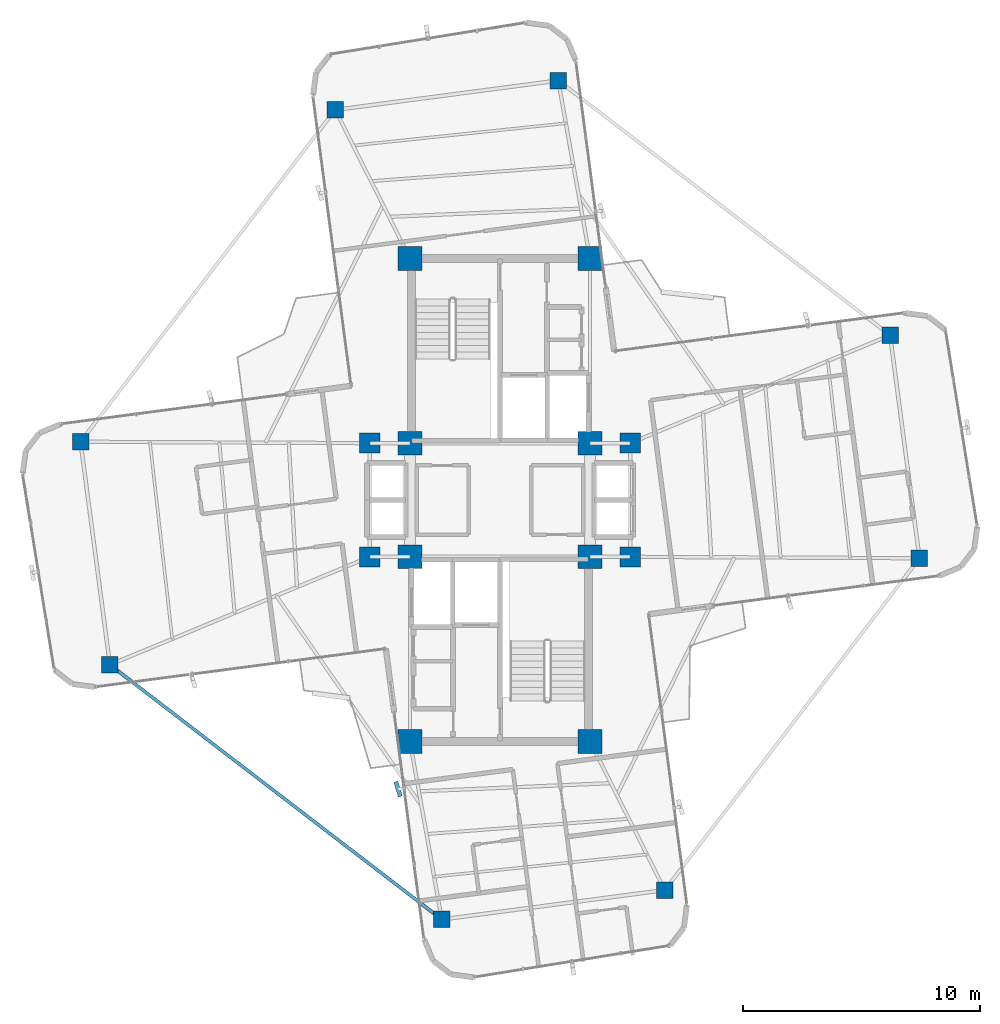
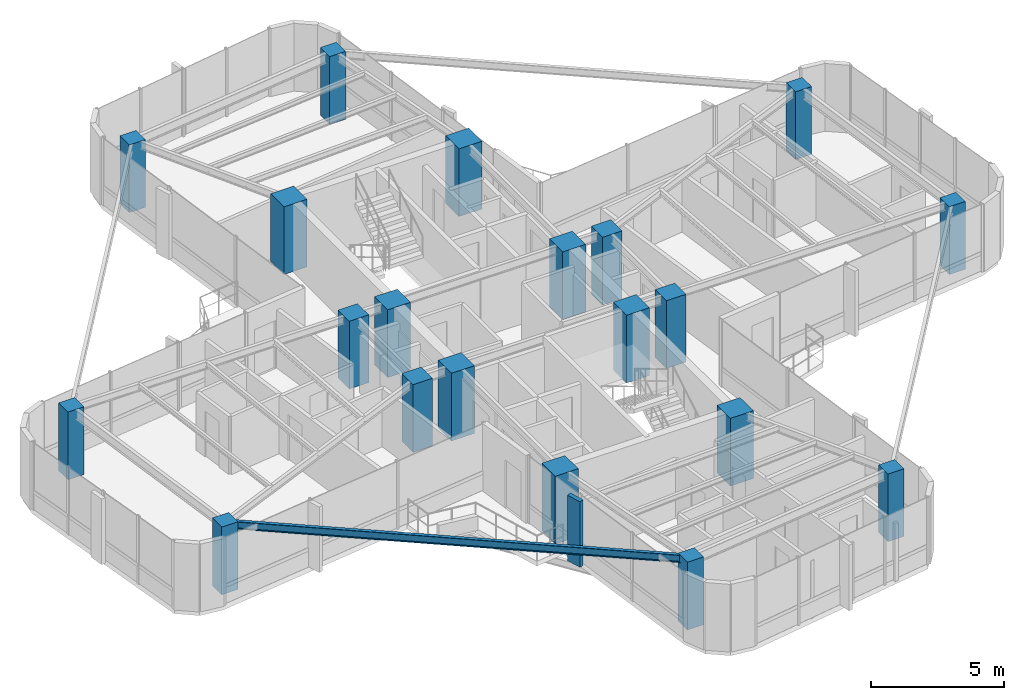
# One storey, part 1 of 22: 20 columns, 1 beam, 1 member, 1 element without a shape of its own.
"""IFC4 building model written with IfcOpenShell, lengths in metres."""

from ifc_helpers import new_model, si_unit, direction, frame, origin, origin_2d, place, context, subcontext, project, spatial, rectangle, i_section, extrude, source, transform, mapped, material, material_profile, profile_set, type_object, element, aggregate, save


model = new_model("IFC4")

# Units and contexts
model_context = context("Model", 3, precision=1e-05, world=origin(), true_north=direction((0.0, 1.0)))
body_context = subcontext(model_context, "Body", "Model", "MODEL_VIEW")
ifc_project = project(units=[si_unit("LENGTHUNIT", "METRE"), si_unit("AREAUNIT", "SQUARE_METRE"), si_unit("VOLUMEUNIT", "CUBIC_METRE"), si_unit("PLANEANGLEUNIT", "RADIAN"), si_unit("MASSUNIT", "GRAM", prefix="KILO")], contexts=[model_context])

# Site, building, storey
site_placement = place(None, origin())
site = spatial("IfcSite", under=ifc_project, at=site_placement, CompositionType="ELEMENT")
building_placement = place(site_placement, origin())
building = spatial("IfcBuilding", under=site, at=building_placement, Name="Sahyath Konkavel Grand Hotel", CompositionType="ELEMENT")
storey_placement = place(building_placement, frame((0.0, 0.0, 269.10009765625)))
storey = spatial("IfcBuildingStorey", under=building, at=storey_placement, Name="L75", CompositionType="ELEMENT", Elevation=269.10009765625)

# Columns
ifc_material_1 = material(Name="Concrete C50/60", Category="concrete")
ifc_material_profile_1 = material_profile(ifc_material_1, rectangle(XDim=1.0, YDim=1.0, at=origin_2d()), Name="RC 1000x1000")
ifc_profile_set_1 = profile_set([ifc_material_profile_1], Name="Concrete C50/60")
column_type_1 = type_object("IfcColumnType", Name="COL-RC1000", PredefinedType="COLUMN", material=ifc_profile_set_1)
shared_shape_1 = source(origin(), body_context, "Body", "SweptSolid", [
    extrude(rectangle(XDim=1.0, YDim=1.0, at=origin_2d()), origin(), (0.0, 0.0, 1.0), 3.10986328125),
])
for number, where, z_axis, x_axis, name in (
    (1, (-3.800048828125, 2.39990234375, 0.0), (0.0, 0.0, 1.0), (1.0, 0.0, 0.0), "L75 Core Boundary Column NC-SW"),
    (2, (3.800048828125, 2.39990234375, 0.0), (0.0, 0.0, 1.0), (1.0, 0.0, 0.0), "L75 Core Boundary Column NC-SE"),
    (3, (-3.800048828125, 10.199951171875, 0.0), (0.0, 0.0, 1.0), (1.0, 0.0, 0.0), "L75 Core Boundary Column NC-NW"),
    (4, (3.800048828125, 10.199951171875, 0.0), (0.0, 0.0, 1.0), (1.0, 0.0, 0.0), "L75 Core Boundary Column NC-NE"),
    (5, (-3.800048828125, -2.39990234375, 0.0), (0.0, 0.0, 1.0), (1.0, 0.0, 0.0), "L75 Core Boundary Column SC-NW"),
    (6, (3.800048828125, -2.39990234375, 0.0), (0.0, 0.0, 1.0), (1.0, 0.0, 0.0), "L75 Core Boundary Column SC-NE"),
    (7, (-3.800048828125, -10.199951171875, 0.0), (0.0, 0.0, 1.0), (1.0, 0.0, 0.0), "L75 Core Boundary Column SC-SW"),
    (8, (3.800048828125, -10.199951171875, 0.0), (0.0, 0.0, 1.0), (1.0, 0.0, 0.0), "L75 Core Boundary Column SC-SE"),
):
    element("IfcColumn", number, at=place(storey_placement, frame(where, z_axis=z_axis, x_axis=x_axis)), inside=storey, type_object=column_type_1, Name=name, PredefinedType="COLUMN", context=body_context, shape_type="MappedRepresentation", body=[
        mapped(shared_shape_1, transform((0.0, 0.0, 0.0), scale=1.0)),
    ])
ifc_material_2 = material(Name="Concrete C40/50", Category="concrete")
ifc_material_profile_2 = material_profile(ifc_material_2, rectangle(XDim=0.85009765625, YDim=0.85009765625, at=origin_2d()), Name="RC 850x850")
ifc_profile_set_2 = profile_set([ifc_material_profile_2], Name="Concrete C40/50")
column_type_2 = type_object("IfcColumnType", Name="COL-RC850", PredefinedType="COLUMN", material=ifc_profile_set_2)
shared_shape_2 = source(origin(), body_context, "Body", "SweptSolid", [
    extrude(rectangle(XDim=0.85009765625, YDim=0.85009765625, at=origin_2d()), origin(), (0.0, 0.0, 1.0), 3.10986328125),
])
for number, where, z_axis, x_axis, name in (
    (9, (5.5, 2.39990234375, 0.0), (0.0, 0.0, 1.0), (1.0, 0.0, 0.0), "L75 Central Spine Column HB-NE"),
    (10, (-5.5, 2.39990234375, 0.0), (0.0, 0.0, 1.0), (1.0, 0.0, 0.0), "L75 Central Spine Column HB-NW"),
    (11, (5.5, -2.39990234375, 0.0), (0.0, 0.0, 1.0), (1.0, 0.0, 0.0), "L75 Central Spine Column HB-SE"),
    (12, (-5.5, -2.39990234375, 0.0), (0.0, 0.0, 1.0), (1.0, 0.0, 0.0), "L75 Central Spine Column HB-SW"),
):
    element("IfcColumn", number, at=place(storey_placement, frame(where, z_axis=z_axis, x_axis=x_axis)), inside=storey, type_object=column_type_2, Name=name, PredefinedType="COLUMN", context=body_context, shape_type="MappedRepresentation", body=[
        mapped(shared_shape_2, transform((0.0, 0.0, 0.0), scale=1.0)),
    ])
ifc_material_profile_3 = material_profile(ifc_material_2, rectangle(XDim=0.699951171875, YDim=0.699951171875, at=origin_2d()), Name="RC 700x700")
ifc_profile_set_3 = profile_set([ifc_material_profile_3], Name="Concrete C40/50")
column_type_3 = type_object("IfcColumnType", Name="COL-RC700", PredefinedType="COLUMN", material=ifc_profile_set_3)
shared_shape_3 = source(origin(), body_context, "Body", "SweptSolid", [
    extrude(rectangle(XDim=0.699951171875, YDim=0.699951171875, at=origin_2d()), origin(), (0.0, 0.0, 1.0), 3.10986328125),
])
for number, where, z_axis, x_axis, name in (
    (13, (17.71240234375, -2.458984375, 0.0), (0.0, 0.0, 1.0), (1.0, 0.0, 0.0), "L75 Cruciform Wing Column WC-EA"),
    (14, (16.472412109375, 6.959716796875, 0.0), (0.0, 0.0, 1.0), (1.0, 0.0, 0.0), "L75 Cruciform Wing Column WC-EB"),
    (15, (2.458984375, 17.71240234375, 0.0), (0.0, 0.0, 1.0), (1.0, 0.0, 0.0), "L75 Cruciform Wing Column WC-NA"),
    (16, (-6.959716796875, 16.472412109375, 0.0), (0.0, 0.0, 1.0), (1.0, 0.0, 0.0), "L75 Cruciform Wing Column WC-NB"),
    (17, (-17.71240234375, 2.458984375, 0.0), (0.0, 0.0, 1.0), (1.0, 0.0, 0.0), "L75 Cruciform Wing Column WC-WA"),
    (18, (-16.472412109375, -6.959716796875, 0.0), (0.0, 0.0, 1.0), (1.0, 0.0, 0.0), "L75 Cruciform Wing Column WC-WB"),
    (19, (-2.458984375, -17.71240234375, 0.0), (0.0, 0.0, 1.0), (1.0, 0.0, 0.0), "L75 Cruciform Wing Column WC-SA"),
    (20, (6.959716796875, -16.472412109375, 0.0), (0.0, 0.0, 1.0), (1.0, 0.0, 0.0), "L75 Cruciform Wing Column WC-SB"),
):
    element("IfcColumn", number, at=place(storey_placement, frame(where, z_axis=z_axis, x_axis=x_axis)), inside=storey, type_object=column_type_3, Name=name, PredefinedType="COLUMN", context=body_context, shape_type="MappedRepresentation", body=[
        mapped(shared_shape_3, transform((0.0, 0.0, 0.0), scale=1.0)),
    ])

# Beam
ifc_material_3 = material(Name="Steel E350", Category="steel")
ifc_material_profile_4 = material_profile(ifc_material_3, i_section(OverallWidth=0.139892578125, OverallDepth=0.35009765625, WebThickness=0.008056640625, FlangeThickness=0.01416015625, FilletRadius=0.013916015625, at=origin_2d()), Name="ISMB 350")
ifc_profile_set_4 = profile_set([ifc_material_profile_4], Name="Steel E350")
beam_type = type_object("IfcBeamType", Name="BM-ISMB350", PredefinedType="BEAM", material=ifc_profile_set_4)
shared_shape_4 = source(origin(), body_context, "Body", "SweptSolid", [
    extrude(i_section(OverallWidth=0.139892578125, OverallDepth=0.35009765625, WebThickness=0.008056640625, FlangeThickness=0.01416015625, FilletRadius=0.013916015625, at=origin_2d()), origin(), (0.0, 0.0, 1.0), 17.663330078125),
])
beam_placement = place(storey_placement, frame((-16.472412109375, -6.959716796875, 2.934814453125), z_axis=(0.793358692504, -0.608754453805, 0.0), x_axis=(0.608754453805, 0.793358692504, 0.0)))
element("IfcBeam", 21, at=beam_placement, inside=storey, type_object=beam_type, Name="L75 Re-Entrant Tie Beam SW", PredefinedType="BEAM", context=body_context, shape_type="MappedRepresentation", body=[
    mapped(shared_shape_4, transform((0.0, 0.0, 0.0), scale=1.0)),
])

# Curtain wall, member
ifc_material_4 = material(Name="Anodised Bronze Aluminium & Low-E Glazing", Category="aluminium")
curtain_wall_type = type_object("IfcCurtainWallType", Name="CW-ZONE4", PredefinedType="NOTDEFINED", material=ifc_material_4)
curtain_wall_placement = place(storey_placement, origin())
curtain_wall = element("IfcCurtainWall", 22, at=curtain_wall_placement, inside=storey, type_object=curtain_wall_type, Name="L75 Unitised Curtain Wall F24", PredefinedType="NOTDEFINED")
ifc_material_5 = material(Name="Warm Buff Sandstone Cladding on Concrete C50/60", Category="masonry")
ifc_material_profile_5 = material_profile(ifc_material_5, rectangle(XDim=0.179931640625, YDim=0.64990234375, at=origin_2d()), Name="FIN 180x650")
ifc_profile_set_5 = profile_set([ifc_material_profile_5], Name="Warm Buff Sandstone Cladding on Concrete C50/60")
member_type = type_object("IfcMemberType", Name="FIN-SANDSTONE-650", PredefinedType="MULLION", material=ifc_profile_set_5)
shared_shape_5 = source(origin(), body_context, "Body", "SweptSolid", [
    extrude(rectangle(XDim=0.179931640625, YDim=0.64990234375, at=origin_2d()), origin(), (0.0, 0.0, 1.0), 3.010009765625),
])
member_placement = place(storey_placement, frame((-4.30322265625, -12.20947265625, 0.0498046875), z_axis=(0.0, 0.0, 1.0), x_axis=(0.955690317134, 0.294373942013, 0.0)))
member = element("IfcMember", 23, at=member_placement, type_object=member_type, Name="L75 Sandstone Vertical Solar Fin FIN F24-1", PredefinedType="MULLION", context=body_context, shape_type="MappedRepresentation", body=[
    mapped(shared_shape_5, transform((0.0, 0.0, 0.0), scale=1.0)),
])
aggregate(curtain_wall, [member])

save(model, "model.ifc")
